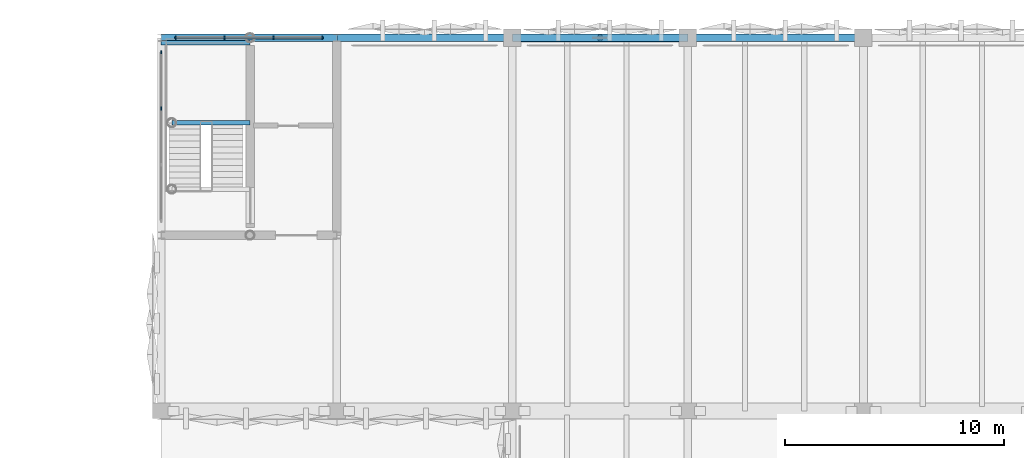
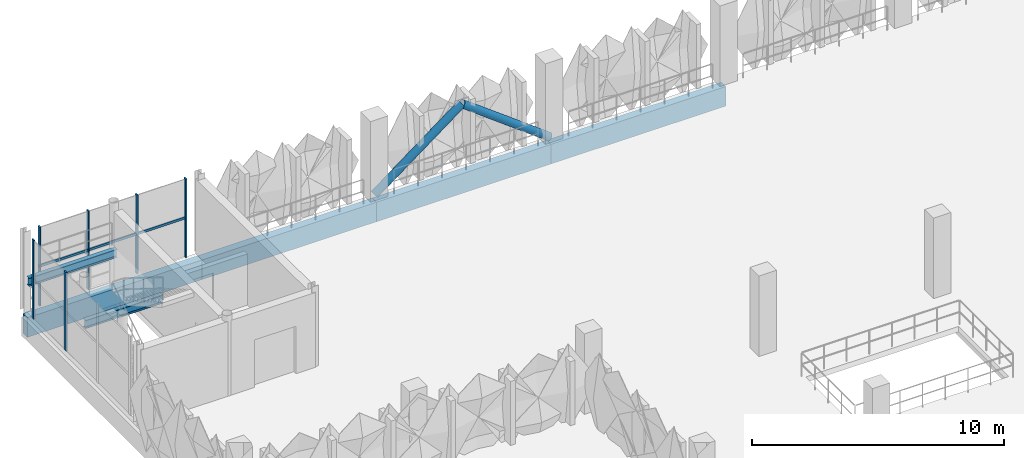
# One storey, part 33 of 96: 9 members, 6 beams, 2 elements without a shape of their own.
"""IFC4 building model written with IfcOpenShell, lengths in metres."""

from ifc_helpers import new_model, si_unit, derived_unit, direction, frame, origin, origin_2d, place, context, subcontext, project, spatial, rectangle, hollow_circle, i_section, extrude, material, layer, layer_set, material_profile, profile_set, type_object, element, aggregate, save


model = new_model("IFC4")

# Units and contexts
model_context = context("Model", 3, precision=1e-05, world=origin(), true_north=direction((0.0, 1.0)))
body_context = subcontext(model_context, "Body", "Model", "MODEL_VIEW")
ifc_project = project(units=[si_unit("LENGTHUNIT", "METRE"), si_unit("AREAUNIT", "SQUARE_METRE"), si_unit("VOLUMEUNIT", "CUBIC_METRE"), si_unit("PLANEANGLEUNIT", "RADIAN"), si_unit("MASSUNIT", "GRAM", prefix="KILO"), si_unit("THERMODYNAMICTEMPERATUREUNIT", "KELVIN"), derived_unit("THERMALTRANSMITTANCEUNIT", [(si_unit("POWERUNIT", "WATT"), 1), (si_unit("AREAUNIT", "SQUARE_METRE"), -1), (si_unit("THERMODYNAMICTEMPERATUREUNIT", "KELVIN"), -1)])], contexts=[model_context])

# Site, building, storey
site_placement = place(None, origin())
site = spatial("IfcSite", under=ifc_project, at=site_placement, CompositionType="ELEMENT")
building_placement = place(site_placement, origin())
building = spatial("IfcBuilding", under=site, at=building_placement, Name="Haiyu Intermodal Mobility Hub", CompositionType="ELEMENT")
storey_placement = place(building_placement, frame((0.0, 0.0, 9.5)))
storey = spatial("IfcBuildingStorey", under=building, at=storey_placement, Name="L02", CompositionType="ELEMENT", Elevation=9.5)

# Beams
ifc_material_1 = material(Name="Steel Q355C", Category="steel")
ifc_material_profile_1 = material_profile(ifc_material_1, i_section(OverallWidth=0.199951171875, OverallDepth=0.39990234375, WebThickness=0.008056640625, FlangeThickness=0.012939453125, FilletRadius=0.01611328125, at=origin_2d()), Name="HN400x200x8x13")
ifc_profile_set_1 = profile_set([ifc_material_profile_1], Name="Steel Q355C")
beam_type_1 = type_object("IfcBeamType", Name="BM-SB08", PredefinedType="JOIST", material=ifc_profile_set_1)
beam_1_placement = place(storey_placement, frame((22.47998046875, 144.1298828125, 1.52490234375), z_axis=(1.0, 0.0, 0.0), x_axis=(0.0, 1.0, 0.0)))
element("IfcBeam", 1, at=beam_1_placement, inside=storey, type_object=beam_type_1, Name="Stair Half-Landing Front Beam C3-L02", PredefinedType="JOIST", context=body_context, shape_type="SweptSolid", body=[
    extrude(i_section(OverallWidth=0.199951171875, OverallDepth=0.39990234375, WebThickness=0.008056640625, FlangeThickness=0.012939453125, FilletRadius=0.01611328125, at=origin_2d()), origin(), (0.0, 0.0, 1.0), 3.570068359375),
])
beam_2_placement = place(storey_placement, frame((22.0, 147.780029296875, 1.52490234375), z_axis=(1.0, 0.0, 0.0), x_axis=(0.0, 1.0, 0.0)))
element("IfcBeam", 2, at=beam_2_placement, inside=storey, type_object=beam_type_1, Name="Stair Half-Landing Rear Beam C3-L02", PredefinedType="JOIST", context=body_context, shape_type="SweptSolid", body=[
    extrude(i_section(OverallWidth=0.199951171875, OverallDepth=0.39990234375, WebThickness=0.008056640625, FlangeThickness=0.012939453125, FilletRadius=0.01611328125, at=origin_2d()), origin(), (0.0, 0.0, 1.0), 4.050048828125),
])
ifc_material_2 = material(Name="Precast concrete C40", Category="concrete")
ifc_material_profile_2 = material_profile(ifc_material_2, rectangle(XDim=0.35009765625, YDim=0.949951171875, at=origin_2d()), Name="PC350x950")
ifc_profile_set_2 = profile_set([ifc_material_profile_2], Name="Precast concrete C40")
beam_type_2 = type_object("IfcBeamType", Name="BM-SP01", PredefinedType="SPANDREL", material=ifc_profile_set_2)
for number, where, z_axis, x_axis, name in (
    (3, (22.0, 148.0, -0.75), (1.0, 0.0, 0.0), (0.0, 1.0, 0.0), "BM-V4G-L02-041"),
    (4, (30.0, 148.0, -0.75), (1.0, 0.0, 0.0), (0.0, 1.0, 0.0), "BM-V4G-L02-042"),
    (5, (38.0, 148.0, -0.75), (1.0, 0.0, 0.0), (0.0, 1.0, 0.0), "BM-V4G-L02-043"),
    (6, (46.0, 148.0, -0.75), (1.0, 0.0, 0.0), (0.0, 1.0, 0.0), "BM-V4G-L02-044"),
):
    element("IfcBeam", number, at=place(storey_placement, frame(where, z_axis=z_axis, x_axis=x_axis)), inside=storey, type_object=beam_type_2, Name=name, PredefinedType="SPANDREL", context=body_context, shape_type="SweptSolid", body=[
        extrude(rectangle(XDim=0.35009765625, YDim=0.949951171875, at=origin_2d()), origin(), (0.0, 0.0, 1.0), 8.0),
    ])

# Curtain wall, members
ifc_material_3 = material(Name="Low-e laminated insulating glass", Category="glass")
ifc_layer = layer(ifc_material_3, 0.199951171875)
ifc_layer_set = layer_set([ifc_layer], Name="Low-e laminated insulating glass")
curtain_wall_type = type_object("IfcCurtainWallType", Name="CW-CW03", PredefinedType="NOTDEFINED", material=ifc_layer_set)
curtain_wall_1_placement = place(storey_placement, origin())
curtain_wall_1 = element("IfcCurtainWall", 7, at=curtain_wall_1_placement, inside=storey, type_object=curtain_wall_type, Name="Curtain Wall CW-C3N-L02-053", PredefinedType="NOTDEFINED")
ifc_material_4 = material(Name="Anodised aluminium 6063-T6", Category="aluminium")
ifc_material_profile_3 = material_profile(ifc_material_4, rectangle(XDim=0.06005859375, YDim=0.14501953125, at=origin_2d()), Name="ALU60x145")
ifc_profile_set_3 = profile_set([ifc_material_profile_3], Name="Anodised aluminium 6063-T6")
member_type_1 = type_object("IfcMemberType", Name="CWM-ML03", PredefinedType="MULLION", material=ifc_profile_set_3)
member_1_placement = place(storey_placement, frame((29.340087890625, 148.0, 0.0), z_axis=(0.0, 0.0, 1.0), x_axis=(1.0, 0.0, 0.0)))
member_1 = element("IfcMember", 8, at=member_1_placement, type_object=member_type_1, Name="CW-C3N-L02-053-ML01", PredefinedType="MULLION", context=body_context, shape_type="SweptSolid", body=[
    extrude(rectangle(XDim=0.06005859375, YDim=0.14501953125, at=origin_2d()), origin(), (0.0, 0.0, 1.0), 3.820068359375),
])
member_2_placement = place(storey_placement, frame((27.113037109375, 148.0, 0.0), z_axis=(0.0, 0.0, 1.0), x_axis=(1.0, 0.0, 0.0)))
member_2 = element("IfcMember", 9, at=member_2_placement, type_object=member_type_1, Name="CW-C3N-L02-053-ML02", PredefinedType="MULLION", context=body_context, shape_type="SweptSolid", body=[
    extrude(rectangle(XDim=0.06005859375, YDim=0.14501953125, at=origin_2d()), origin(), (0.0, 0.0, 1.0), 3.820068359375),
])
member_3_placement = place(storey_placement, frame((24.886962890625, 148.0, 0.0), z_axis=(0.0, 0.0, 1.0), x_axis=(1.0, 0.0, 0.0)))
member_3 = element("IfcMember", 10, at=member_3_placement, type_object=member_type_1, Name="CW-C3N-L02-053-ML03", PredefinedType="MULLION", context=body_context, shape_type="SweptSolid", body=[
    extrude(rectangle(XDim=0.06005859375, YDim=0.14501953125, at=origin_2d()), origin(), (0.0, 0.0, 1.0), 3.820068359375),
])
member_4_placement = place(storey_placement, frame((22.659912109375, 148.0, 0.0), z_axis=(0.0, 0.0, 1.0), x_axis=(1.0, 0.0, 0.0)))
member_4 = element("IfcMember", 11, at=member_4_placement, type_object=member_type_1, Name="CW-C3N-L02-053-ML04", PredefinedType="MULLION", context=body_context, shape_type="SweptSolid", body=[
    extrude(rectangle(XDim=0.06005859375, YDim=0.14501953125, at=origin_2d()), origin(), (0.0, 0.0, 1.0), 3.820068359375),
])

curtain_wall_2_placement = place(storey_placement, origin())
curtain_wall_2 = element("IfcCurtainWall", 12, at=curtain_wall_2_placement, inside=storey, type_object=curtain_wall_type, Name="Curtain Wall CW-C3S-L02-054", PredefinedType="NOTDEFINED")
member_5_placement = place(storey_placement, frame((22.0, 147.340087890625, 0.0), z_axis=(0.0, 0.0, 1.0), x_axis=(1.0, 0.0, 0.0)))
member_5 = element("IfcMember", 13, at=member_5_placement, type_object=member_type_1, Name="CW-C3S-L02-054-ML01", PredefinedType="MULLION", context=body_context, shape_type="SweptSolid", body=[
    extrude(rectangle(XDim=0.06005859375, YDim=0.14501953125, at=origin_2d()), origin(), (0.0, 0.0, 1.0), 3.820068359375),
])
member_6_placement = place(storey_placement, frame((22.0, 144.780029296875, 0.0), z_axis=(0.0, 0.0, 1.0), x_axis=(1.0, 0.0, 0.0)))
member_6 = element("IfcMember", 14, at=member_6_placement, type_object=member_type_1, Name="CW-C3S-L02-054-ML02", PredefinedType="MULLION", context=body_context, shape_type="SweptSolid", body=[
    extrude(rectangle(XDim=0.06005859375, YDim=0.14501953125, at=origin_2d()), origin(), (0.0, 0.0, 1.0), 3.820068359375),
])
aggregate(curtain_wall_2, [member_5, member_6])

# Member
ifc_material_profile_4 = material_profile(ifc_material_4, rectangle(XDim=0.06005859375, YDim=0.114990234375, at=origin_2d()), Name="ALU60x115")
ifc_profile_set_4 = profile_set([ifc_material_profile_4], Name="Anodised aluminium 6063-T6")
member_type_2 = type_object("IfcMemberType", Name="CWM-TR03", PredefinedType="USERDEFINED", material=ifc_profile_set_4)
member_7_placement = place(storey_placement, frame((29.3798828125, 148.0, 1.909912109375), z_axis=(-1.0, 0.0, 0.0), x_axis=(0.0, -1.0, 0.0)))
member_7 = element("IfcMember", 15, at=member_7_placement, type_object=member_type_2, Name="CW-C3N-L02-053-TR01", ObjectType="TRANSOM", PredefinedType="USERDEFINED", context=body_context, shape_type="SweptSolid", body=[
    extrude(rectangle(XDim=0.06005859375, YDim=0.114990234375, at=origin_2d()), origin(), (0.0, 0.0, 1.0), 6.759765625),
])

aggregate(curtain_wall_1, [member_1, member_2, member_3, member_4, member_7])

# Members
ifc_material_profile_5 = material_profile(ifc_material_1, hollow_circle(Radius=0.177978515625, WallThickness=0.011962890625, at=origin_2d()), Name="CHS356x12")
ifc_profile_set_5 = profile_set([ifc_material_profile_5], Name="Steel Q355C")
member_type_3 = type_object("IfcMemberType", Name="MEM-BR01", PredefinedType="BRACE", material=ifc_profile_set_5)
for number, where, z_axis, x_axis, name in (
    (16, (38.0, 148.0, 0.0), (0.8, 0.0, 0.6), (0.0, 1.0, 0.0), "Seismic Chevron Brace B1-L02-A"),
    (17, (46.0, 148.0, 0.0), (-0.8, 0.0, 0.6), (0.0, -1.0, 0.0), "Seismic Chevron Brace B1-L02-B"),
):
    element("IfcMember", number, at=place(storey_placement, frame(where, z_axis=z_axis, x_axis=x_axis)), inside=storey, type_object=member_type_3, Name=name, PredefinedType="BRACE", context=body_context, shape_type="SweptSolid", body=[
        extrude(hollow_circle(Radius=0.177978515625, WallThickness=0.011962890625, at=origin_2d()), origin(), (0.0, 0.0, 1.0), 5.0),
    ])

save(model, "model.ifc")
